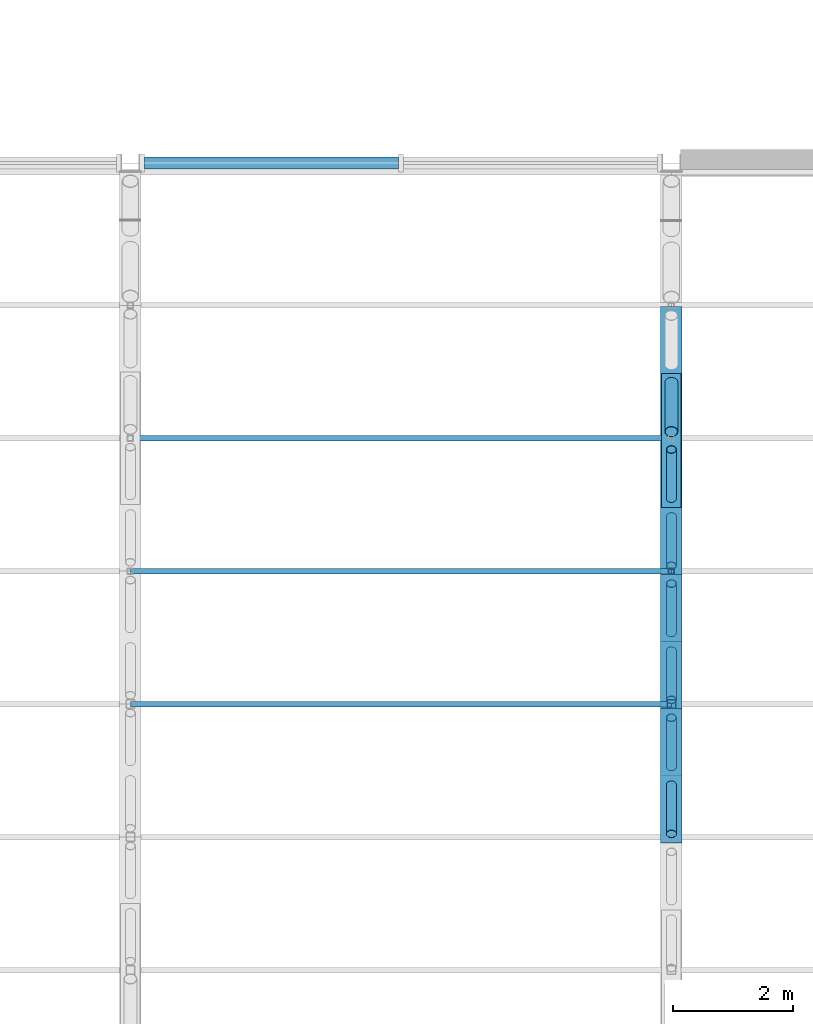
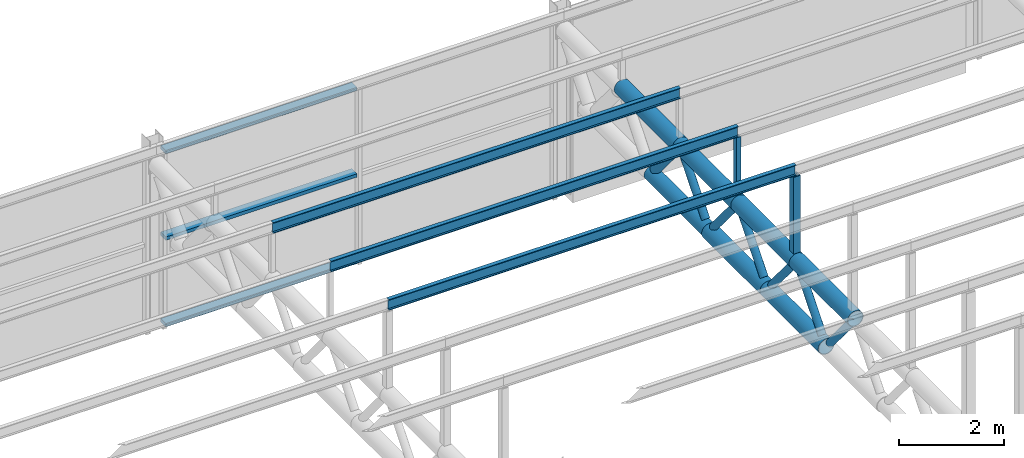
# One storey, part 54 of 138: 22 members, 1 element without a shape of its own.
"""IFC4 building model written with IfcOpenShell, lengths in metres."""

from ifc_helpers import new_model, si_unit, direction, frame, origin, origin_2d, place, context, subcontext, project, spatial, rectangle, hollow_rectangle, hollow_circle, i_section, extrude, material, layer, layer_set, material_profile, profile_set, type_object, element, aggregate, save


model = new_model("IFC4")

# Units and contexts
model_context = context("Model", 3, precision=1e-05, world=origin(), true_north=direction((0.0, 1.0)))
body_context = subcontext(model_context, "Body", "Model", "MODEL_VIEW")
ifc_project = project(units=[si_unit("LENGTHUNIT", "METRE"), si_unit("AREAUNIT", "SQUARE_METRE"), si_unit("VOLUMEUNIT", "CUBIC_METRE"), si_unit("PLANEANGLEUNIT", "RADIAN"), si_unit("MASSUNIT", "GRAM", prefix="KILO")], contexts=[model_context])

# Site, building, storey
site_placement = place(None, origin())
site = spatial("IfcSite", under=ifc_project, at=site_placement, CompositionType="ELEMENT")
building_placement = place(site_placement, origin())
building = spatial("IfcBuilding", under=site, at=building_placement, Name="Corbel Yard City Hall", CompositionType="ELEMENT")
storey_placement = place(building_placement, frame((0.0, 0.0, 10.5)))
storey = spatial("IfcBuildingStorey", under=building, at=storey_placement, Name="L02", CompositionType="ELEMENT", Elevation=10.5)

# Members
ifc_material_1 = material(Name="Steel Grade C350L0", Category="steel")
ifc_material_profile_1 = material_profile(ifc_material_1, hollow_circle(Radius=0.161865234375, WallThickness=0.0126953125, at=origin_2d()), Name="323.9x12.7CHS")
ifc_profile_set_1 = profile_set([ifc_material_profile_1], Name="Steel Grade C350L0")
member_type_1 = type_object("IfcMemberType", Name="Hall roof truss bottom chord 323.9x12.7CHS", PredefinedType="CHORD", material=ifc_profile_set_1)
member_1_placement = place(storey_placement, frame((117.0, 21.270263671875, 2.59228515625), z_axis=(0.0, 1.0, 0.0), x_axis=(-1.0, 0.0, 0.0)))
element("IfcMember", 1, at=member_1_placement, inside=storey, type_object=member_type_1, Name="Hall roof truss bottom chord 323.9x12.7CHS TC2", PredefinedType="CHORD", context=body_context, shape_type="SweptSolid", body=[
    extrude(hollow_circle(Radius=0.161865234375, WallThickness=0.0126953125, at=origin_2d()), origin(), (0.0, 0.0, 1.0), 2.230712890625),
])
ifc_material_profile_2 = material_profile(ifc_material_1, hollow_circle(Radius=0.177734375, WallThickness=0.0126953125, at=origin_2d()), Name="355.6x12.7CHS")
ifc_profile_set_2 = profile_set([ifc_material_profile_2], Name="Steel Grade C350L0")
member_type_2 = type_object("IfcMemberType", Name="Hall roof truss bottom chord 355.6x12.7CHS", PredefinedType="CHORD", material=ifc_profile_set_2)
for number, where, z_axis, x_axis, name in (
    (2, (117.0, 16.808349609375, 2.59228515625), (0.0, 1.0, 0.0), (-1.0, 0.0, 0.0), "Hall roof truss bottom chord 355.6x12.7CHS TC3"),
    (3, (117.0, 19.039306640625, 2.59228515625), (0.0, 1.0, 0.0), (-1.0, 0.0, 0.0), "Hall roof truss bottom chord 355.6x12.7CHS TC3"),
):
    element("IfcMember", number, at=place(storey_placement, frame(where, z_axis=z_axis, x_axis=x_axis)), inside=storey, type_object=member_type_2, Name=name, PredefinedType="CHORD", context=body_context, shape_type="SweptSolid", body=[
        extrude(hollow_circle(Radius=0.177734375, WallThickness=0.0126953125, at=origin_2d()), origin(), (0.0, 0.0, 1.0), 2.23095703125),
    ])
ifc_material_profile_3 = material_profile(ifc_material_1, hollow_circle(Radius=0.084228515625, WallThickness=0.007080078125, at=origin_2d()), Name="168.3x7.1CHS")
ifc_profile_set_3 = profile_set([ifc_material_profile_3], Name="Steel Grade C350L0")
member_type_3 = type_object("IfcMemberType", Name="Hall roof truss diagonal 168.3x7.1CHS", PredefinedType="STRUT", material=ifc_profile_set_3)
for number, where, z_axis, x_axis, name in (
    (4, (117.0, 15.842041015625, 3.744384765625), (0.0, 0.64257954038, -0.766218985855), (-1.0, 0.0, 0.0), "Hall roof truss diagonal 168.3x7.1CHS TD3"),
    (5, (117.0, 16.95751953125, 2.77001953125), (0.0, 0.64257954038, 0.766218985855), (-1.0, 0.0, 0.0), "Hall roof truss diagonal 168.3x7.1CHS TD3"),
    (6, (117.0, 18.07275390625, 3.744384765625), (0.0, 0.642692233301, -0.766124463292), (-1.0, 0.0, 0.0), "Hall roof truss diagonal 168.3x7.1CHS TD3"),
    (7, (117.0, 19.188232421875, 2.77001953125), (0.0, 0.642692233301, 0.766124463292), (-1.0, 0.0, 0.0), "Hall roof truss diagonal 168.3x7.1CHS TD3"),
    (8, (117.0, 20.3037109375, 3.744384765625), (0.0, 0.642692233301, -0.766124463292), (-1.0, 0.0, 0.0), "Hall roof truss diagonal 168.3x7.1CHS TD3"),
    (9, (117.0, 21.419189453125, 2.77001953125), (0.0, 0.642692233301, 0.766124463292), (-1.0, 0.0, 0.0), "Hall roof truss diagonal 168.3x7.1CHS TD3"),
):
    element("IfcMember", number, at=place(storey_placement, frame(where, z_axis=z_axis, x_axis=x_axis)), inside=storey, type_object=member_type_3, Name=name, PredefinedType="STRUT", context=body_context, shape_type="SweptSolid", body=[
        extrude(hollow_circle(Radius=0.084228515625, WallThickness=0.007080078125, at=origin_2d()), origin(), (0.0, 0.0, 1.0), 1.271728515625),
    ])
ifc_material_profile_4 = material_profile(ifc_material_1, hollow_circle(Radius=0.109619140625, WallThickness=0.00830078125, at=origin_2d()), Name="219.1x8.2CHS")
ifc_profile_set_4 = profile_set([ifc_material_profile_4], Name="Steel Grade C350L0")
member_type_4 = type_object("IfcMemberType", Name="Hall roof truss diagonal 219.1x8.2CHS", PredefinedType="STRUT", material=ifc_profile_set_4)
member_2_placement = place(storey_placement, frame((117.0, 22.53466796875, 3.744384765625), z_axis=(0.0, 0.642692233301, -0.766124463292), x_axis=(-1.0, 0.0, 0.0)))
element("IfcMember", 10, at=member_2_placement, inside=storey, type_object=member_type_4, Name="Hall roof truss diagonal 219.1x8.2CHS TD2", PredefinedType="STRUT", context=body_context, shape_type="SweptSolid", body=[
    extrude(hollow_circle(Radius=0.109619140625, WallThickness=0.00830078125, at=origin_2d()), origin(), (0.0, 0.0, 1.0), 1.271728515625),
])
ifc_material_profile_5 = material_profile(ifc_material_1, hollow_circle(Radius=0.177734375, WallThickness=0.0126953125, at=origin_2d()), Name="355.6x12.7CHS")
ifc_profile_set_5 = profile_set([ifc_material_profile_5], Name="Steel Grade C350L0")
member_type_5 = type_object("IfcMemberType", Name="Hall roof truss top chord 355.6x12.7CHS", PredefinedType="CHORD", material=ifc_profile_set_5)
for number, where, z_axis, x_axis, name in (
    (11, (117.0, 15.69287109375, 3.922119140625), (0.0, 1.0, 0.0), (-1.0, 0.0, 0.0), "Hall roof truss top chord 355.6x12.7CHS TC1"),
    (12, (117.0, 17.923828125, 3.922119140625), (0.0, 1.0, 0.0), (-1.0, 0.0, 0.0), "Hall roof truss top chord 355.6x12.7CHS TC1"),
    (13, (117.0, 20.15478515625, 3.922119140625), (0.0, 1.0, 0.0), (-1.0, 0.0, 0.0), "Hall roof truss top chord 355.6x12.7CHS TC1"),
):
    element("IfcMember", number, at=place(storey_placement, frame(where, z_axis=z_axis, x_axis=x_axis)), inside=storey, type_object=member_type_5, Name=name, PredefinedType="CHORD", context=body_context, shape_type="SweptSolid", body=[
        extrude(hollow_circle(Radius=0.177734375, WallThickness=0.0126953125, at=origin_2d()), origin(), (0.0, 0.0, 1.0), 2.23095703125),
    ])
member_3_placement = place(storey_placement, frame((117.0, 22.3857421875, 3.922119140625), z_axis=(0.0, 1.0, 0.0), x_axis=(-1.0, 0.0, 0.0)))
element("IfcMember", 14, at=member_3_placement, inside=storey, type_object=member_type_5, Name="Hall roof truss top chord 355.6x12.7CHS TC1", PredefinedType="CHORD", context=body_context, shape_type="SweptSolid", body=[
    extrude(hollow_circle(Radius=0.177734375, WallThickness=0.0126953125, at=origin_2d()), origin(), (0.0, 0.0, 1.0), 2.230712890625),
])
ifc_material_2 = material(Name="Steel Grade 300 (300 MPa yield)", Category="steel")
ifc_material_profile_6 = material_profile(ifc_material_2, i_section(OverallWidth=0.090087890625, OverallDepth=0.25, WebThickness=0.008056640625, FlangeThickness=0.014892578125, at=origin_2d()), Name="250PFC")
ifc_profile_set_6 = profile_set([ifc_material_profile_6], Name="Steel Grade 300 (300 MPa yield)")
member_type_6 = type_object("IfcMemberType", Name="Purlin 250PFC", PredefinedType="PURLIN", material=ifc_profile_set_6)
for number, where, z_axis, x_axis, name in (
    (15, (108.0, 18.0, 6.01611328125), (1.0, 0.0, 0.0), (0.0, 1.0, 0.0), "Purlin 250PFC PU1"),
    (16, (108.0, 20.2119140625, 5.57373046875), (1.0, 0.0, 0.0), (0.0, 1.0, 0.0), "Purlin 250PFC PU1"),
    (17, (108.0, 22.423828125, 5.13134765625), (1.0, 0.0, 0.0), (0.0, 1.0, 0.0), "Purlin 250PFC PU1"),
):
    element("IfcMember", number, at=place(storey_placement, frame(where, z_axis=z_axis, x_axis=x_axis)), inside=storey, type_object=member_type_6, Name=name, PredefinedType="PURLIN", context=body_context, shape_type="SweptSolid", body=[
        extrude(i_section(OverallWidth=0.090087890625, OverallDepth=0.25, WebThickness=0.008056640625, FlangeThickness=0.014892578125, at=origin_2d()), origin(), (0.0, 0.0, 1.0), 9.0),
    ])
ifc_material_3 = material(Name="Steel Grade C450L0", Category="steel")
ifc_material_profile_7 = material_profile(ifc_material_3, hollow_rectangle(XDim=0.10009765625, YDim=0.10009765625, WallThickness=0.006103515625, at=origin_2d()), Name="100x100x6.0SHS")
ifc_profile_set_7 = profile_set([ifc_material_profile_7], Name="Steel Grade C450L0")
member_type_7 = type_object("IfcMemberType", Name="Roof post 100x100x6.0SHS", PredefinedType="POST", material=ifc_profile_set_7)
member_4_placement = place(storey_placement, frame((117.0, 20.2119140625, 4.10009765625), z_axis=(0.0, 0.0, 1.0), x_axis=(1.0, 0.0, 0.0)))
element("IfcMember", 18, at=member_4_placement, inside=storey, type_object=member_type_7, Name="Roof post 100x100x6.0SHS RP3", PredefinedType="POST", context=body_context, shape_type="SweptSolid", body=[
    extrude(hollow_rectangle(XDim=0.10009765625, YDim=0.10009765625, WallThickness=0.006103515625, at=origin_2d()), origin(), (0.0, 0.0, 1.0), 1.3486328125),
])
ifc_material_profile_8 = material_profile(ifc_material_3, hollow_rectangle(XDim=0.14990234375, YDim=0.14990234375, WallThickness=0.009033203125, at=origin_2d()), Name="150x150x9.0SHS")
ifc_profile_set_8 = profile_set([ifc_material_profile_8], Name="Steel Grade C450L0")
member_type_8 = type_object("IfcMemberType", Name="Roof post 150x150x9.0SHS", PredefinedType="POST", material=ifc_profile_set_8)
member_5_placement = place(storey_placement, frame((117.0, 18.0, 4.10009765625), z_axis=(0.0, 0.0, 1.0), x_axis=(1.0, 0.0, 0.0)))
element("IfcMember", 19, at=member_5_placement, inside=storey, type_object=member_type_8, Name="Roof post 150x150x9.0SHS RP2", PredefinedType="POST", context=body_context, shape_type="SweptSolid", body=[
    extrude(hollow_rectangle(XDim=0.14990234375, YDim=0.14990234375, WallThickness=0.009033203125, at=origin_2d()), origin(), (0.0, 0.0, 1.0), 1.791015625),
])

# Curtain wall, members
ifc_material_4 = material(Name="Aluminium extrusion", Category="aluminium")
ifc_layer = layer(ifc_material_4, 0.300048828125)
ifc_layer_set = layer_set([ifc_layer], Name="Aluminium extrusion")
curtain_wall_type = type_object("IfcCurtainWallType", Name="CW7", PredefinedType="USERDEFINED", material=ifc_layer_set)
curtain_wall_placement = place(storey_placement, origin())
curtain_wall = element("IfcCurtainWall", 20, at=curtain_wall_placement, inside=storey, type_object=curtain_wall_type, Name="Curtain wall CW7 L02", ObjectType="CURTAIN WALL", PredefinedType="USERDEFINED")
ifc_material_profile_9 = material_profile(ifc_material_4, rectangle(XDim=0.199951171875, YDim=0.080078125, at=origin_2d()), Name="200x80")
ifc_profile_set_9 = profile_set([ifc_material_profile_9], Name="Aluminium extrusion")
member_type_9 = type_object("IfcMemberType", Name="TR7", PredefinedType="USERDEFINED", material=ifc_profile_set_9)
member_6_placement = place(storey_placement, frame((108.23388671875, 27.0, 0.0400390625), z_axis=(1.0, 0.0, 0.0), x_axis=(0.0, 1.0, 0.0)))
member_6 = element("IfcMember", 21, at=member_6_placement, type_object=member_type_9, Name="CW7 transom 1.1", ObjectType="TRANSOM", PredefinedType="USERDEFINED", context=body_context, shape_type="SweptSolid", body=[
    extrude(rectangle(XDim=0.199951171875, YDim=0.080078125, at=origin_2d()), origin(), (0.0, 0.0, 1.0), 4.22607421875),
])
member_7_placement = place(storey_placement, frame((108.23388671875, 27.0, 2.060791015625), z_axis=(1.0, 0.0, 0.0), x_axis=(0.0, 1.0, 0.0)))
member_7 = element("IfcMember", 22, at=member_7_placement, type_object=member_type_9, Name="CW7 transom 1.2", ObjectType="TRANSOM", PredefinedType="USERDEFINED", context=body_context, shape_type="SweptSolid", body=[
    extrude(rectangle(XDim=0.199951171875, YDim=0.080078125, at=origin_2d()), origin(), (0.0, 0.0, 1.0), 4.22607421875),
])
member_8_placement = place(storey_placement, frame((108.23388671875, 27.0, 4.08154296875), z_axis=(1.0, 0.0, 0.0), x_axis=(0.0, 1.0, 0.0)))
member_8 = element("IfcMember", 23, at=member_8_placement, type_object=member_type_9, Name="CW7 transom 1.3", ObjectType="TRANSOM", PredefinedType="USERDEFINED", context=body_context, shape_type="SweptSolid", body=[
    extrude(rectangle(XDim=0.199951171875, YDim=0.080078125, at=origin_2d()), origin(), (0.0, 0.0, 1.0), 4.22607421875),
])
aggregate(curtain_wall, [member_6, member_7, member_8])

save(model, "model.ifc")
